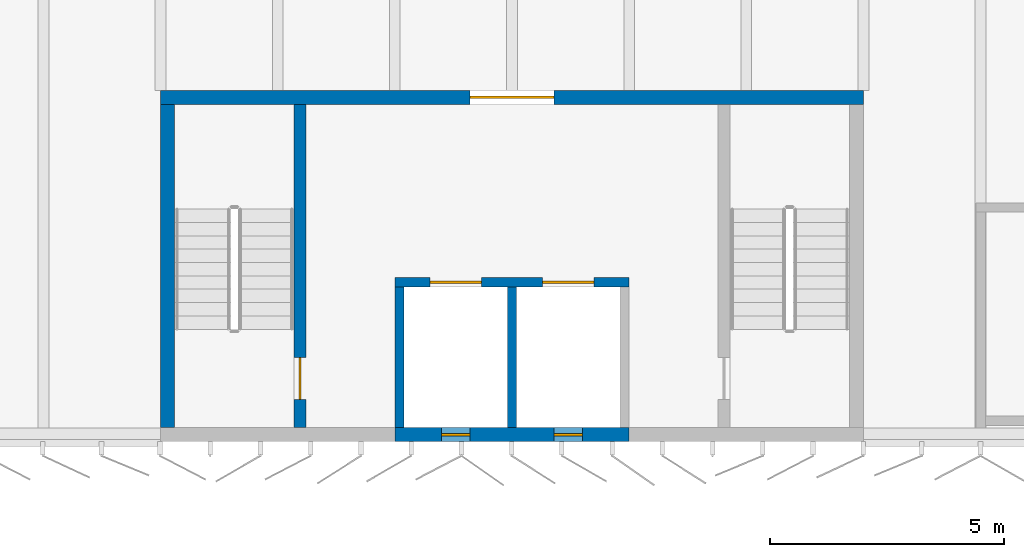
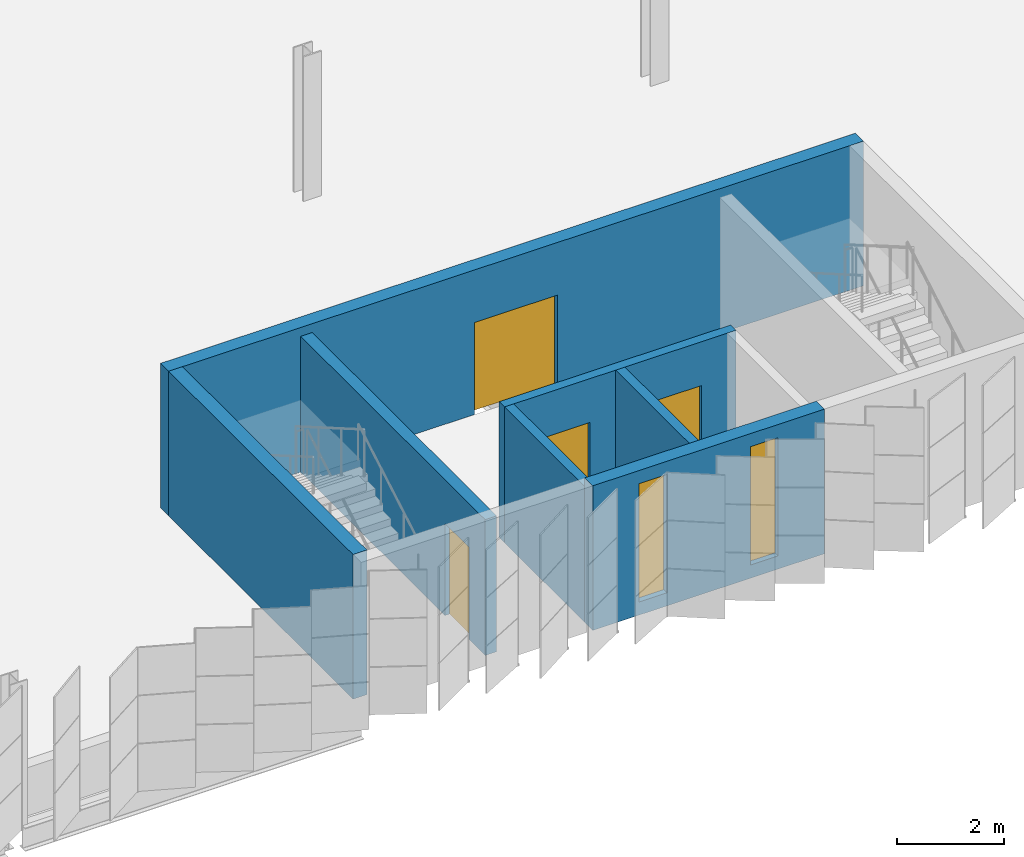
# One storey, part 58 of 199: 7 walls, 4 doors, 2 windows, 6 openings.
"""IFC4 building model written with IfcOpenShell, lengths in metres."""

from ifc_helpers import new_model, si_unit, direction, frame, frame_2d, origin, place, context, subcontext, project, spatial, rectangle, extrude, material, layer, layer_set, type_object, element, fill, save


model = new_model("IFC4")

# Units and contexts
model_context = context("Model", 3, precision=1e-05, world=origin(), true_north=direction((0.0, 1.0)))
body_context = subcontext(model_context, "Body", "Model", "MODEL_VIEW")
ifc_project = project(units=[si_unit("LENGTHUNIT", "METRE"), si_unit("AREAUNIT", "SQUARE_METRE"), si_unit("VOLUMEUNIT", "CUBIC_METRE"), si_unit("PLANEANGLEUNIT", "RADIAN"), si_unit("MASSUNIT", "GRAM", prefix="KILO")], contexts=[model_context])

# Site, building, storey
site_placement = place(None, origin())
site = spatial("IfcSite", under=ifc_project, at=site_placement, CompositionType="ELEMENT")
building_placement = place(site_placement, origin())
building = spatial("IfcBuilding", under=site, at=building_placement, Name="Parallax Yard Mobility Hub", CompositionType="ELEMENT")
storey_placement = place(building_placement, frame((0.0, 0.0, 9.89990234375)))
storey = spatial("IfcBuildingStorey", under=building, at=storey_placement, Name="L03", CompositionType="ELEMENT", Elevation=9.89990234375)

# Wall, opening, door
ifc_material_1 = material(Name="Concrete fc' 35 MPa", Category="concrete")
ifc_layer_1 = layer(ifc_material_1, 0.300048828125)
ifc_layer_set_1 = layer_set([ifc_layer_1], Name="Concrete fc' 35 MPa core wall 300")
wall_type_1 = type_object("IfcWallType", Name="Concrete fc' 35 MPa core wall 300", PredefinedType="SHEAR", material=ifc_layer_set_1)
wall_1_placement = place(storey_placement, frame((127.5, 119.85009765625, 0.0), z_axis=(0.0, 0.0, 1.0), x_axis=(1.0, 0.0, 0.0)))
wall_1 = element("IfcWall", 1, at=wall_1_placement, inside=storey, type_object=wall_type_1, Name="Core C-N2 entry wall level L03", PredefinedType="SHEAR", context=body_context, shape_type="SweptSolid", body=[
    extrude(rectangle(XDim=15.0, YDim=0.300048828125, at=frame_2d((7.5, 0.0))), origin(), (0.0, 0.0, 1.0), 3.300048828125),
])
opening_1_placement = place(wall_1_placement, frame((6.60009765625, 0.0, 0.0)))
opening_1 = element("IfcOpeningElement", 2, at=opening_1_placement, cuts=wall_1, Name="Opening L03-D714", PredefinedType="OPENING", context=body_context, shape_type="SweptSolid", body=[
    extrude(rectangle(XDim=1.800048828125, YDim=2.10009765625, at=frame_2d((0.89990234375, 1.050048828125))), frame((0.0, 0.16015625, 0.0), z_axis=(0.0, -1.0, 0.0), x_axis=(1.0, 0.0, 0.0)), (0.0, 0.0, 1.0), 0.320068359375),
])
ifc_material_2 = material(Name="Hollow metal steel door and frame", Category="steel")
door_type_1 = type_object("IfcDoorType", Name="Core double door 1800 x 2100 FD90", OperationType="NOTDEFINED", PredefinedType="DOOR", material=ifc_material_2)
door_1_placement = place(opening_1_placement, origin())
door_1 = element("IfcDoor", 3, at=door_1_placement, inside=storey, type_object=door_type_1, Name="Lift lobby door L03-D714, core C-N2 level L03", OperationType="DOUBLE_DOOR_SINGLE_SWING", OverallHeight=2.10009765625, OverallWidth=1.800048828125, PredefinedType="DOOR", context=body_context, shape_type="SweptSolid", body=[
    extrude(rectangle(XDim=1.800048828125, YDim=2.10009765625, at=frame_2d((0.89990234375, 1.050048828125))), frame((0.0, 0.02490234375, 0.0), z_axis=(0.0, -1.0, 0.0), x_axis=(1.0, 0.0, 0.0)), (0.0, 0.0, 1.0), 0.050048828125),
])
fill(opening_1, door_1)

# Wall, openings, windows
wall_2_placement = place(storey_placement, frame((137.5, 112.64990234375, 0.0), z_axis=(0.0, 0.0, 1.0), x_axis=(-1.0, 0.0, 0.0)))
wall_2 = element("IfcWall", 4, at=wall_2_placement, inside=storey, type_object=wall_type_1, Name="Core C-N2 back wall part 2 level L03", PredefinedType="SHEAR", context=body_context, shape_type="SweptSolid", body=[
    extrude(rectangle(XDim=5.0, YDim=0.300048828125, at=frame_2d((2.5, 0.0))), origin(), (0.0, 0.0, 1.0), 3.300048828125),
])
opening_2_placement = place(wall_2_placement, frame((1.0, 0.0, 0.300048828125)))
opening_2 = element("IfcOpeningElement", 5, at=opening_2_placement, cuts=wall_2, Name="Opening CW-S1", PredefinedType="OPENING", context=body_context, shape_type="SweptSolid", body=[
    extrude(rectangle(XDim=0.60009765625, YDim=2.699951171875, at=frame_2d((0.300048828125, 1.35009765625))), frame((0.0, 0.16015625, 0.0), z_axis=(0.0, -1.0, 0.0), x_axis=(1.0, 0.0, 0.0)), (0.0, 0.0, 1.0), 0.320068359375),
])
opening_3_placement = place(wall_2_placement, frame((3.39990234375, 0.0, 0.300048828125)))
opening_3 = element("IfcOpeningElement", 6, at=opening_3_placement, cuts=wall_2, Name="Opening CW-S1", PredefinedType="OPENING", context=body_context, shape_type="SweptSolid", body=[
    extrude(rectangle(XDim=0.60009765625, YDim=2.699951171875, at=frame_2d((0.300048828125, 1.35009765625))), frame((0.0, 0.16015625, 0.0), z_axis=(0.0, -1.0, 0.0), x_axis=(1.0, 0.0, 0.0)), (0.0, 0.0, 1.0), 0.320068359375),
])
ifc_material_3 = material(Name="Fire-resisting glazing in a steel frame", Category="steel")
window_type = type_object("IfcWindowType", Name="Core slot window 600 x 2700", PartitioningType="SINGLE_PANEL", PredefinedType="WINDOW", material=ifc_material_3)
window_1_placement = place(opening_2_placement, origin())
window_1 = element("IfcWindow", 7, at=window_1_placement, inside=storey, type_object=window_type, Name="Glazed slot 1, core C-N2 level L03", OverallHeight=2.699951171875, OverallWidth=0.60009765625, PartitioningType="SINGLE_PANEL", PredefinedType="WINDOW", context=body_context, shape_type="SweptSolid", body=[
    extrude(rectangle(XDim=0.60009765625, YDim=2.699951171875, at=frame_2d((0.300048828125, 1.35009765625))), frame((0.0, 0.030029296875, 0.0), z_axis=(0.0, -1.0, 0.0), x_axis=(1.0, 0.0, 0.0)), (0.0, 0.0, 1.0), 0.06005859375),
])
fill(opening_2, window_1)
window_2_placement = place(opening_3_placement, origin())
window_2 = element("IfcWindow", 8, at=window_2_placement, inside=storey, type_object=window_type, Name="Glazed slot 2, core C-N2 level L03", OverallHeight=2.699951171875, OverallWidth=0.60009765625, PartitioningType="SINGLE_PANEL", PredefinedType="WINDOW", context=body_context, shape_type="SweptSolid", body=[
    extrude(rectangle(XDim=0.60009765625, YDim=2.699951171875, at=frame_2d((0.300048828125, 1.35009765625))), frame((0.0, 0.030029296875, 0.0), z_axis=(0.0, -1.0, 0.0), x_axis=(1.0, 0.0, 0.0)), (0.0, 0.0, 1.0), 0.06005859375),
])
fill(opening_3, window_2)

# Wall
wall_3_placement = place(storey_placement, frame((127.64990234375, 119.699951171875, 0.0), z_axis=(0.0, 0.0, 1.0), x_axis=(0.0, -1.0, 0.0)))
element("IfcWall", 9, at=wall_3_placement, inside=storey, type_object=wall_type_1, Name="Core C-N2 east-side end wall level L03", PredefinedType="SHEAR", context=body_context, shape_type="SweptSolid", body=[
    extrude(rectangle(XDim=6.89990234375, YDim=0.300048828125, at=frame_2d((3.449951171875, 0.0))), origin(), (0.0, 0.0, 1.0), 3.300048828125),
])

# Wall, openings, doors
ifc_layer_2 = layer(ifc_material_1, 0.199951171875)
ifc_layer_set_2 = layer_set([ifc_layer_2], Name="Concrete fc' 35 MPa internal core wall 200")
wall_type_2 = type_object("IfcWallType", Name="Concrete fc' 35 MPa internal core wall 200", PredefinedType="STANDARD", material=ifc_layer_set_2)
wall_4_placement = place(storey_placement, frame((137.5, 115.89990234375, 0.0), z_axis=(0.0, 0.0, 1.0), x_axis=(-1.0, 0.0, 0.0)))
wall_4 = element("IfcWall", 10, at=wall_4_placement, inside=storey, type_object=wall_type_2, Name="Core C-N2 lift front 2 part 2 level L03", PredefinedType="STANDARD", context=body_context, shape_type="SweptSolid", body=[
    extrude(rectangle(XDim=5.0, YDim=0.199951171875, at=frame_2d((2.5, 0.0))), origin(), (0.0, 0.0, 1.0), 3.10009765625),
])
opening_4_placement = place(wall_4_placement, frame((0.75, 0.0, 0.0)))
opening_4 = element("IfcOpeningElement", 11, at=opening_4_placement, cuts=wall_4, Name="Opening L03-D717", PredefinedType="OPENING", context=body_context, shape_type="SweptSolid", body=[
    extrude(rectangle(XDim=1.10009765625, YDim=2.10009765625, at=frame_2d((0.550048828125, 1.050048828125))), frame((0.0, 0.10986328125, 0.0), z_axis=(0.0, -1.0, 0.0), x_axis=(1.0, 0.0, 0.0)), (0.0, 0.0, 1.0), 0.219970703125),
])
opening_5_placement = place(wall_4_placement, frame((3.14990234375, 0.0, 0.0)))
opening_5 = element("IfcOpeningElement", 12, at=opening_5_placement, cuts=wall_4, Name="Opening L03-D718", PredefinedType="OPENING", context=body_context, shape_type="SweptSolid", body=[
    extrude(rectangle(XDim=1.10009765625, YDim=2.10009765625, at=frame_2d((0.550048828125, 1.050048828125))), frame((0.0, 0.10986328125, 0.0), z_axis=(0.0, -1.0, 0.0), x_axis=(1.0, 0.0, 0.0)), (0.0, 0.0, 1.0), 0.219970703125),
])
ifc_material_4 = material(Name="Stainless steel sliding door and frame", Category="steel")
door_type_2 = type_object("IfcDoorType", Name="Lift landing door 1100 x 2100 FD90", OperationType="DOUBLE_DOOR_SLIDING", PredefinedType="DOOR", material=ifc_material_4)
door_2_placement = place(opening_4_placement, origin())
door_2 = element("IfcDoor", 13, at=door_2_placement, inside=storey, type_object=door_type_2, Name="Lift landing door L03-D717, core C-N2 level L03", OperationType="DOUBLE_DOOR_SLIDING", OverallHeight=2.10009765625, OverallWidth=1.10009765625, PredefinedType="DOOR", context=body_context, shape_type="SweptSolid", body=[
    extrude(rectangle(XDim=1.10009765625, YDim=2.10009765625, at=frame_2d((0.550048828125, 1.050048828125))), frame((0.0, 0.02490234375, 0.0), z_axis=(0.0, -1.0, 0.0), x_axis=(1.0, 0.0, 0.0)), (0.0, 0.0, 1.0), 0.050048828125),
])
fill(opening_4, door_2)
door_3_placement = place(opening_5_placement, origin())
door_3 = element("IfcDoor", 14, at=door_3_placement, inside=storey, type_object=door_type_2, Name="Lift landing door L03-D718, core C-N2 level L03", OperationType="DOUBLE_DOOR_SLIDING", OverallHeight=2.10009765625, OverallWidth=1.10009765625, PredefinedType="DOOR", context=body_context, shape_type="SweptSolid", body=[
    extrude(rectangle(XDim=1.10009765625, YDim=2.10009765625, at=frame_2d((0.550048828125, 1.050048828125))), frame((0.0, 0.02490234375, 0.0), z_axis=(0.0, -1.0, 0.0), x_axis=(1.0, 0.0, 0.0)), (0.0, 0.0, 1.0), 0.050048828125),
])
fill(opening_5, door_3)

# Walls
for number, where, z_axis, x_axis, name in (
    (15, (135.0, 115.800048828125, 0.0), (0.0, 0.0, 1.0), (0.0, -1.0, 0.0), "Core C-N2 lift wall 2 part 2 level L03"),
    (16, (132.60009765625, 115.800048828125, 0.0), (0.0, 0.0, 1.0), (0.0, -1.0, 0.0), "Core C-N2 lift wall 3 part 3 level L03"),
):
    element("IfcWall", number, at=place(storey_placement, frame(where, z_axis=z_axis, x_axis=x_axis)), inside=storey, type_object=wall_type_2, Name=name, PredefinedType="STANDARD", context=body_context, shape_type="SweptSolid", body=[
        extrude(rectangle(XDim=3.0, YDim=0.199951171875, at=frame_2d((1.5, 0.0))), origin(), (0.0, 0.0, 1.0), 3.10009765625),
    ])

# Wall, opening, door
ifc_layer_3 = layer(ifc_material_1, 0.25)
ifc_layer_set_3 = layer_set([ifc_layer_3], Name="Concrete fc' 35 MPa stair enclosure wall 250")
wall_type_3 = type_object("IfcWallType", Name="Concrete fc' 35 MPa stair enclosure wall 250", PredefinedType="STANDARD", material=ifc_layer_set_3)
wall_5_placement = place(storey_placement, frame((130.47509765625, 112.800048828125, 0.0), z_axis=(0.0, 0.0, 1.0), x_axis=(0.0, 1.0, 0.0)))
wall_5 = element("IfcWall", 17, at=wall_5_placement, inside=storey, type_object=wall_type_3, Name="Core C-N2 stair 2 partition level L03", PredefinedType="STANDARD", context=body_context, shape_type="SweptSolid", body=[
    extrude(rectangle(XDim=6.89990234375, YDim=0.25, at=frame_2d((3.449951171875, 0.0))), origin(), (0.0, 0.0, 1.0), 3.10009765625),
])
opening_6_placement = place(wall_5_placement, frame((0.60009765625, 0.0, 0.0)))
opening_6 = element("IfcOpeningElement", 18, at=opening_6_placement, cuts=wall_5, Name="Opening L03-D716", PredefinedType="OPENING", context=body_context, shape_type="SweptSolid", body=[
    extrude(rectangle(XDim=0.89990234375, YDim=2.10009765625, at=frame_2d((0.449951171875, 1.050048828125))), frame((0.0, 0.135009765625, 0.0), z_axis=(0.0, -1.0, 0.0), x_axis=(1.0, 0.0, 0.0)), (0.0, 0.0, 1.0), 0.27001953125),
])
door_type_3 = type_object("IfcDoorType", Name="Core door 900 x 2100 FD90", OperationType="NOTDEFINED", PredefinedType="DOOR", material=ifc_material_2)
door_4_placement = place(opening_6_placement, origin())
door_4 = element("IfcDoor", 19, at=door_4_placement, inside=storey, type_object=door_type_3, Name="Stair lobby door L03-D716, core C-N2 level L03", OperationType="SINGLE_SWING_RIGHT", OverallHeight=2.10009765625, OverallWidth=0.89990234375, PredefinedType="DOOR", context=body_context, shape_type="SweptSolid", body=[
    extrude(rectangle(XDim=0.89990234375, YDim=2.10009765625, at=frame_2d((0.449951171875, 1.050048828125))), frame((0.0, 0.02490234375, 0.0), z_axis=(0.0, -1.0, 0.0), x_axis=(1.0, 0.0, 0.0)), (0.0, 0.0, 1.0), 0.050048828125),
])
fill(opening_6, door_4)

save(model, "model.ifc")
